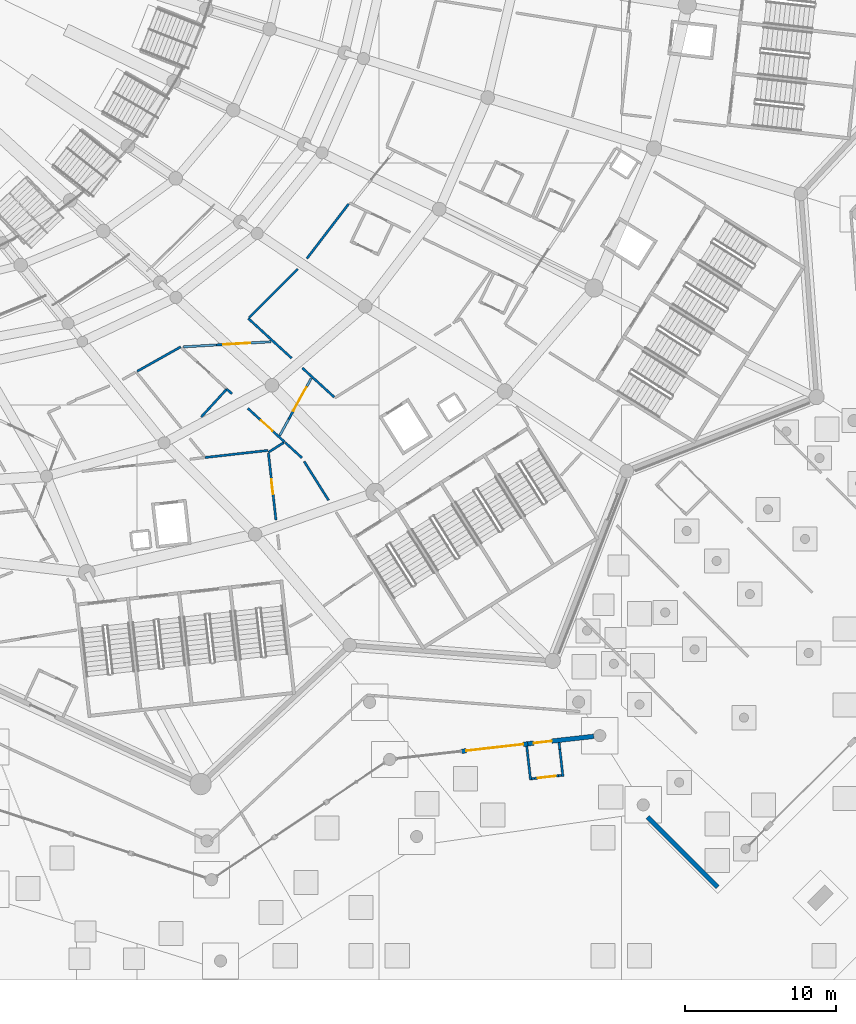
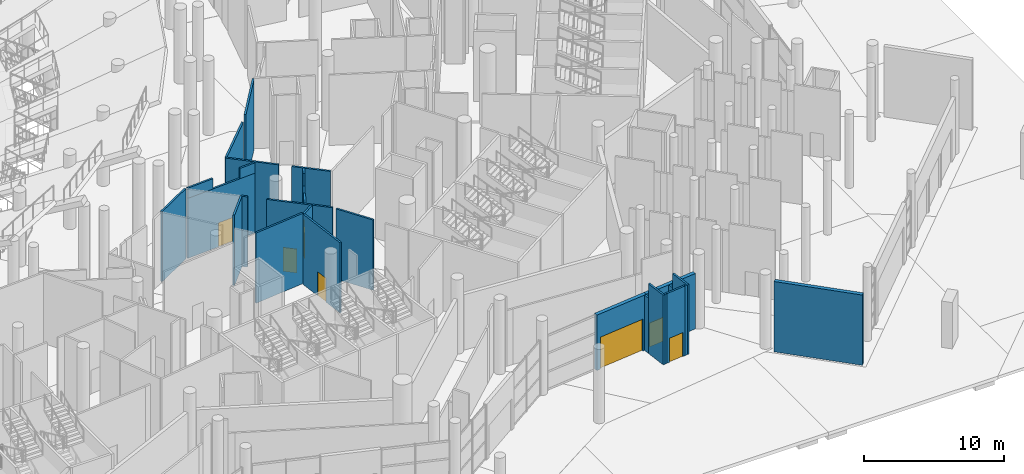
# One storey, part 122 of 255: 29 walls, 7 doors, 7 openings.
"""IFC4 building model written with IfcOpenShell, lengths in metres."""

from ifc_helpers import new_model, si_unit, direction, frame, frame_2d, origin, place, context, subcontext, project, spatial, rectangle, extrude, material, layer, layer_set, type_object, element, fill, save


model = new_model("IFC4")

# Units and contexts
model_context = context("Model", 3, precision=1e-05, world=origin(), true_north=direction((0.0, 1.0)))
body_context = subcontext(model_context, "Body", "Model", "MODEL_VIEW")
ifc_project = project(units=[si_unit("LENGTHUNIT", "METRE"), si_unit("AREAUNIT", "SQUARE_METRE"), si_unit("VOLUMEUNIT", "CUBIC_METRE"), si_unit("PLANEANGLEUNIT", "RADIAN"), si_unit("MASSUNIT", "GRAM", prefix="KILO")], contexts=[model_context])

# Site, building, storey
site_placement = place(None, origin())
site = spatial("IfcSite", under=ifc_project, at=site_placement, CompositionType="ELEMENT")
building_placement = place(site_placement, origin())
building = spatial("IfcBuilding", under=site, at=building_placement, Name="Meseta Stadium", CompositionType="ELEMENT")
storey_placement = place(building_placement, origin())
storey = spatial("IfcBuildingStorey", under=building, at=storey_placement, Name="L00", CompositionType="ELEMENT", Elevation=0.0)

# Walls
ifc_material_1 = material(Name="Precast concrete C40/50", Category="concrete")
ifc_layer_1 = layer(ifc_material_1, 0.300048828125)
ifc_layer_set_1 = layer_set([ifc_layer_1], Name="Gate facade panel wall 300")
wall_type_1 = type_object("IfcWallType", Name="Gate facade panel wall 300", PredefinedType="SOLIDWALL", material=ifc_layer_set_1)
wall_1_placement = place(storey_placement, frame((86.375732421875, -111.871826171875, 0.0), z_axis=(0.0, 0.0, 1.0), x_axis=(-0.707106781187, 0.707106781187, 0.0)))
element("IfcWall", 1, at=wall_1_placement, inside=storey, type_object=wall_type_1, Name="Gate 8 side wall", PredefinedType="SOLIDWALL", context=body_context, shape_type="SweptSolid", body=[
    extrude(rectangle(XDim=6.552490234375, YDim=0.300048828125, at=frame_2d((3.2763671875, 0.0))), origin(), (0.0, 0.0, 1.0), 6.14990234375),
])
ifc_material_2 = material(Name="Masonry blockwork", Category="masonry")
ifc_layer_2 = layer(ifc_material_2, 0.14990234375)
ifc_layer_set_2 = layer_set([ifc_layer_2], Name="Partition 150")
wall_type_2 = type_object("IfcWallType", Name="Partition 150", PredefinedType="PARTITIONING", material=ifc_layer_set_2)
wall_2_placement = place(storey_placement, frame((56.66162109375, -82.998779296875, 0.0), z_axis=(0.0, 0.0, 1.0), x_axis=(-0.993714788705, -0.111941586148, 0.0)))
element("IfcWall", 2, at=wall_2_placement, inside=storey, type_object=wall_type_2, Name="Partition L00 L00-cell25-1-0a", PredefinedType="PARTITIONING", context=body_context, shape_type="SweptSolid", body=[
    extrude(rectangle(XDim=4.1875, YDim=0.14990234375, at=frame_2d((2.09375, 0.0))), origin(), (0.0, 0.0, 1.0), 6.14990234375),
])
wall_3_placement = place(storey_placement, frame((52.24267578125, -80.788330078125, 0.0), z_axis=(0.0, 0.0, 1.0), x_axis=(0.675197911276, 0.737636618267, 0.0)))
element("IfcWall", 3, at=wall_3_placement, inside=storey, type_object=wall_type_2, Name="Partition L00 L00-cell25-1-0a", PredefinedType="PARTITIONING", context=body_context, shape_type="SweptSolid", body=[
    extrude(rectangle(XDim=2.49853515625, YDim=0.14990234375, at=frame_2d((1.249267578125, 0.0))), origin(), (0.0, 0.0, 1.0), 6.14990234375),
])
wall_4_placement = place(storey_placement, frame((53.9296875, -78.9453125, 0.0), z_axis=(0.0, 0.0, 1.0), x_axis=(0.737498012393, -0.675349303484, 0.0)))
element("IfcWall", 4, at=wall_4_placement, inside=storey, type_object=wall_type_2, Name="Partition L00 L00-cell25-1-0a", PredefinedType="PARTITIONING", context=body_context, shape_type="SweptSolid", body=[
    extrude(rectangle(XDim=0.471435546875, YDim=0.14990234375, at=frame_2d((0.23583984375, 0.0))), origin(), (0.0, 0.0, 1.0), 6.14990234375),
])

# Wall, opening, door
wall_5_placement = place(storey_placement, frame((55.320068359375, -80.21826171875, 0.0), z_axis=(0.0, 0.0, 1.0), x_axis=(0.73761168742, -0.675225146586, 0.0)))
wall_5 = element("IfcWall", 5, at=wall_5_placement, inside=storey, type_object=wall_type_2, Name="Partition L00 L00-cell25-1-0a", PredefinedType="PARTITIONING", context=body_context, shape_type="SweptSolid", body=[
    extrude(rectangle(XDim=3.299072265625, YDim=0.14990234375, at=frame_2d((1.6494140625, 0.0))), origin(), (0.0, 0.0, 1.0), 6.14990234375),
])
opening_1_placement = place(wall_5_placement, frame((1.199951171875, 0.0, 0.0)))
opening_1 = element("IfcOpeningElement", 6, at=opening_1_placement, cuts=wall_5, Name="Opening D610", PredefinedType="OPENING", context=body_context, shape_type="SweptSolid", body=[
    extrude(rectangle(XDim=1.0, YDim=2.10009765625, at=frame_2d((0.5, 1.050048828125))), frame((0.0, 0.0849609375, 0.0), z_axis=(0.0, -1.0, 0.0), x_axis=(1.0, 0.0, 0.0)), (0.0, 0.0, 1.0), 0.169921875),
])
ifc_material_3 = material(Name="Timber", Category="wood")
door_type_1 = type_object("IfcDoorType", Name="Room door 1000x2100", OperationType="NOTDEFINED", PredefinedType="DOOR", material=ifc_material_3)
door_1_placement = place(opening_1_placement, origin())
door_1 = element("IfcDoor", 7, at=door_1_placement, inside=storey, type_object=door_type_1, Name="Door D610", OperationType="SINGLE_SWING_LEFT", OverallHeight=2.10009765625, OverallWidth=1.0, PredefinedType="DOOR", context=body_context, shape_type="SweptSolid", body=[
    extrude(rectangle(XDim=1.0, YDim=2.10009765625, at=frame_2d((0.5, 1.050048828125))), frame((0.0, 0.02490234375, 0.0), z_axis=(0.0, -1.0, 0.0), x_axis=(1.0, 0.0, 0.0)), (0.0, 0.0, 1.0), 0.050048828125),
])
fill(opening_1, door_1)

# Walls
wall_6_placement = place(storey_placement, frame((57.687744140625, -82.4873046875, 0.0), z_axis=(0.0, 0.0, 1.0), x_axis=(-0.844198175742, -0.536031193192, 0.0)))
element("IfcWall", 8, at=wall_6_placement, inside=storey, type_object=wall_type_2, Name="Partition L00 L00-cell25-1-0a", PredefinedType="PARTITIONING", context=body_context, shape_type="SweptSolid", body=[
    extrude(rectangle(XDim=1.19775390625, YDim=0.14990234375, at=frame_2d((0.598876953125, 0.0))), origin(), (0.0, 0.0, 1.0), 6.14990234375),
])
wall_7_placement = place(storey_placement, frame((48.003173828125, -77.775390625, 0.0), z_axis=(0.0, 0.0, 1.0), x_axis=(0.871759011695, 0.489934919686, 0.0)))
element("IfcWall", 9, at=wall_7_placement, inside=storey, type_object=wall_type_2, Name="Partition L00 L00-cell25-1-0b1", PredefinedType="PARTITIONING", context=body_context, shape_type="SweptSolid", body=[
    extrude(rectangle(XDim=3.3037109375, YDim=0.14990234375, at=frame_2d((1.65185546875, 0.0))), origin(), (0.0, 0.0, 1.0), 6.14990234375),
])

# Wall, opening, door
wall_8_placement = place(storey_placement, frame((57.1796875, -87.5947265625, 0.0), z_axis=(0.0, 0.0, 1.0), x_axis=(-0.112023313707, 0.993705578723, 0.0)))
wall_8 = element("IfcWall", 10, at=wall_8_placement, inside=storey, type_object=wall_type_2, Name="Partition L00 L00-cell25-2-0", PredefinedType="PARTITIONING", context=body_context, shape_type="SweptSolid", body=[
    extrude(rectangle(XDim=4.44384765625, YDim=0.14990234375, at=frame_2d((2.221923828125, 0.0))), origin(), (0.0, 0.0, 1.0), 6.14990234375),
])
opening_2_placement = place(wall_8_placement, frame((1.699951171875, 0.0, 0.0)))
opening_2 = element("IfcOpeningElement", 11, at=opening_2_placement, cuts=wall_8, Name="Opening D613", PredefinedType="OPENING", context=body_context, shape_type="SweptSolid", body=[
    extrude(rectangle(XDim=1.0, YDim=2.10009765625, at=frame_2d((0.5, 1.050048828125))), frame((0.0, 0.0849609375, 0.0), z_axis=(0.0, -1.0, 0.0), x_axis=(1.0, 0.0, 0.0)), (0.0, 0.0, 1.0), 0.169921875),
])
ifc_material_4 = material(Name="Steel", Category="steel")
door_type_2 = type_object("IfcDoorType", Name="Fire door 1000x2100 EI2 60", OperationType="NOTDEFINED", PredefinedType="DOOR", material=ifc_material_4)
door_2_placement = place(opening_2_placement, origin())
door_2 = element("IfcDoor", 12, at=door_2_placement, inside=storey, type_object=door_type_2, Name="Door D613", OperationType="SINGLE_SWING_LEFT", OverallHeight=2.10009765625, OverallWidth=1.0, PredefinedType="DOOR", context=body_context, shape_type="SweptSolid", body=[
    extrude(rectangle(XDim=1.0, YDim=2.10009765625, at=frame_2d((0.5, 1.050048828125))), frame((0.0, 0.02490234375, 0.0), z_axis=(0.0, -1.0, 0.0), x_axis=(1.0, 0.0, 0.0)), (0.0, 0.0, 1.0), 0.050048828125),
])
fill(opening_2, door_2)

# Walls
wall_9_placement = place(storey_placement, frame((57.790283203125, -82.4794921875, 0.0), z_axis=(0.0, 0.0, 1.0), x_axis=(0.737580634044, -0.675259067531, 0.0)))
element("IfcWall", 13, at=wall_9_placement, inside=storey, type_object=wall_type_2, Name="Partition L00 L00-cell25-2-0", PredefinedType="PARTITIONING", context=body_context, shape_type="SweptSolid", body=[
    extrude(rectangle(XDim=1.496337890625, YDim=0.14990234375, at=frame_2d((0.748046875, 0.0))), origin(), (0.0, 0.0, 1.0), 6.14990234375),
])
wall_10_placement = place(storey_placement, frame((59.04443359375, -83.7294921875, 0.0), z_axis=(0.0, 0.0, 1.0), x_axis=(0.532093859438, -0.846685375301, 0.0)))
element("IfcWall", 14, at=wall_10_placement, inside=storey, type_object=wall_type_2, Name="Partition L00 L00-cell25-2-0", PredefinedType="PARTITIONING", context=body_context, shape_type="SweptSolid", body=[
    extrude(rectangle(XDim=3.025146484375, YDim=0.14990234375, at=frame_2d((1.5126953125, 0.0))), origin(), (0.0, 0.0, 1.0), 6.14990234375),
])
wall_11_placement = place(storey_placement, frame((61.021484375, -79.47216796875, 0.0), z_axis=(0.0, 0.0, 1.0), x_axis=(-0.737611167133, 0.675225714943, 0.0)))
element("IfcWall", 15, at=wall_11_placement, inside=storey, type_object=wall_type_2, Name="Partition L00 L00-cell26-1-0", PredefinedType="PARTITIONING", context=body_context, shape_type="SweptSolid", body=[
    extrude(rectangle(XDim=2.837158203125, YDim=0.14990234375, at=frame_2d((1.41845703125, 0.0))), origin(), (0.0, 0.0, 1.0), 6.14990234375),
])
wall_12_placement = place(storey_placement, frame((58.2119140625, -76.900390625, 0.0), z_axis=(0.0, 0.0, 1.0), x_axis=(-0.737605039511, 0.675232408647, 0.0)))
element("IfcWall", 16, at=wall_12_placement, inside=storey, type_object=wall_type_2, Name="Partition L00 L00-cell26-1-0", PredefinedType="PARTITIONING", context=body_context, shape_type="SweptSolid", body=[
    extrude(rectangle(XDim=3.88671875, YDim=0.14990234375, at=frame_2d((1.943359375, 0.0))), origin(), (0.0, 0.0, 1.0), 6.14990234375),
])
wall_13_placement = place(storey_placement, frame((55.398193359375, -74.222900390625, 0.0), z_axis=(0.0, 0.0, 1.0), x_axis=(0.707965505739, 0.706247012514, 0.0)))
element("IfcWall", 17, at=wall_13_placement, inside=storey, type_object=wall_type_2, Name="Partition L00 L00-cell26-1-0", PredefinedType="PARTITIONING", context=body_context, shape_type="SweptSolid", body=[
    extrude(rectangle(XDim=4.546142578125, YDim=0.14990234375, at=frame_2d((2.27294921875, 0.0))), origin(), (0.0, 0.0, 1.0), 6.14990234375),
])
wall_14_placement = place(storey_placement, frame((59.224853515625, -70.318115234375, 0.0), z_axis=(0.0, 0.0, 1.0), x_axis=(0.607503889775, 0.794316702523, 0.0)))
element("IfcWall", 18, at=wall_14_placement, inside=storey, type_object=wall_type_2, Name="Partition L00 L00-cell26-1-0", PredefinedType="PARTITIONING", context=body_context, shape_type="SweptSolid", body=[
    extrude(rectangle(XDim=4.54931640625, YDim=0.14990234375, at=frame_2d((2.274658203125, 0.0))), origin(), (0.0, 0.0, 1.0), 6.14990234375),
])
wall_15_placement = place(storey_placement, frame((75.889892578125, -102.307373046875, 0.0), z_axis=(0.0, 0.0, 1.0), x_axis=(0.112276818937, -0.993676967595, 0.0)))
element("IfcWall", 19, at=wall_15_placement, inside=storey, type_object=wall_type_2, Name="Partition L00 L00-ring25-0 vestibule", PredefinedType="PARTITIONING", context=body_context, shape_type="SweptSolid", body=[
    extrude(rectangle(XDim=0.4501953125, YDim=0.14990234375, at=frame_2d((0.22509765625, 0.0))), origin(), (0.0, 0.0, 1.0), 4.85009765625),
])
wall_16_placement = place(storey_placement, frame((75.9404296875, -102.754638671875, 0.0), z_axis=(0.0, 0.0, 1.0), x_axis=(0.112441006732, -0.99365840207, 0.0)))
element("IfcWall", 20, at=wall_16_placement, inside=storey, type_object=wall_type_2, Name="Partition L00 L00-ring25-0 vestibule", PredefinedType="PARTITIONING", context=body_context, shape_type="SweptSolid", body=[
    extrude(rectangle(XDim=1.800048828125, YDim=0.14990234375, at=frame_2d((0.89990234375, 0.0))), origin(), (0.0, 0.0, 1.0), 6.10009765625),
])
wall_17_placement = place(storey_placement, frame((73.75341796875, -102.54931640625, 0.0), z_axis=(0.0, 0.0, 1.0), x_axis=(0.112873160154, -0.993609405006, 0.0)))
element("IfcWall", 21, at=wall_17_placement, inside=storey, type_object=wall_type_2, Name="Partition L00 L00-ring25-0 vestibule", PredefinedType="PARTITIONING", context=body_context, shape_type="SweptSolid", body=[
    extrude(rectangle(XDim=0.449951171875, YDim=0.14990234375, at=frame_2d((0.22509765625, 0.0))), origin(), (0.0, 0.0, 1.0), 4.85009765625),
])
wall_18_placement = place(storey_placement, frame((73.80419921875, -102.996337890625, 0.0), z_axis=(0.0, 0.0, 1.0), x_axis=(0.112441006732, -0.99365840207, 0.0)))
element("IfcWall", 22, at=wall_18_placement, inside=storey, type_object=wall_type_2, Name="Partition L00 L00-ring25-0 vestibule", PredefinedType="PARTITIONING", context=body_context, shape_type="SweptSolid", body=[
    extrude(rectangle(XDim=1.800048828125, YDim=0.14990234375, at=frame_2d((0.89990234375, 0.0))), origin(), (0.0, 0.0, 1.0), 6.10009765625),
])
wall_19_placement = place(storey_placement, frame((76.059814453125, -104.47705078125, 0.0), z_axis=(0.0, 0.0, 1.0), x_axis=(-0.993673547442, -0.112307083986, 0.0)))
element("IfcWall", 23, at=wall_19_placement, inside=storey, type_object=wall_type_2, Name="Partition L00 L00-ring25-0 vestibule", PredefinedType="PARTITIONING", context=body_context, shape_type="SweptSolid", body=[
    extrude(rectangle(XDim=0.199951171875, YDim=0.14990234375, at=frame_2d((0.10009765625, 0.0))), origin(), (0.0, 0.0, 1.0), 6.10009765625),
])

# Wall, opening, door
wall_20_placement = place(storey_placement, frame((75.861083984375, -104.49951171875, 0.0), z_axis=(0.0, 0.0, 1.0), x_axis=(-0.993656507662, -0.112457746644, 0.0)))
wall_20 = element("IfcWall", 24, at=wall_20_placement, inside=storey, type_object=wall_type_2, Name="Partition L00 L00-ring25-0 vestibule", PredefinedType="PARTITIONING", context=body_context, shape_type="SweptSolid", body=[
    extrude(rectangle(XDim=1.60009765625, YDim=0.14990234375, at=frame_2d((0.800048828125, 0.0))), origin(), (0.0, 0.0, 1.0), 6.10009765625),
])
opening_3_placement = place(wall_20_placement, frame((0.199951171875, 0.0, 0.0)))
opening_3 = element("IfcOpeningElement", 25, at=opening_3_placement, cuts=wall_20, Name="Opening D884", PredefinedType="OPENING", context=body_context, shape_type="SweptSolid", body=[
    extrude(rectangle(XDim=1.199951171875, YDim=2.10009765625, at=frame_2d((0.60009765625, 1.050048828125))), frame((0.0, 0.0849609375, 0.0), z_axis=(0.0, -1.0, 0.0), x_axis=(1.0, 0.0, 0.0)), (0.0, 0.0, 1.0), 0.169921875),
])
ifc_material_5 = material(Name="Steel", Category="steel")
door_type_3 = type_object("IfcDoorType", Name="Fire door 1200x2100 EI2 60", OperationType="NOTDEFINED", PredefinedType="DOOR", material=ifc_material_5)
door_3_placement = place(opening_3_placement, origin())
door_3 = element("IfcDoor", 26, at=door_3_placement, inside=storey, type_object=door_type_3, Name="Vestibule door L00 L00-ring25-0", OperationType="SINGLE_SWING_LEFT", OverallHeight=2.10009765625, OverallWidth=1.199951171875, PredefinedType="DOOR", context=body_context, shape_type="SweptSolid", body=[
    extrude(rectangle(XDim=1.199951171875, YDim=2.10009765625, at=frame_2d((0.60009765625, 1.050048828125))), frame((0.0, 0.02490234375, 0.0), z_axis=(0.0, -1.0, 0.0), x_axis=(1.0, 0.0, 0.0)), (0.0, 0.0, 1.0), 0.050048828125),
])
fill(opening_3, door_3)

# Wall
wall_21_placement = place(storey_placement, frame((74.271240234375, -104.679443359375, 0.0), z_axis=(0.0, 0.0, 1.0), x_axis=(-0.993673547442, -0.112307083986, 0.0)))
element("IfcWall", 27, at=wall_21_placement, inside=storey, type_object=wall_type_2, Name="Partition L00 L00-ring25-0 vestibule", PredefinedType="PARTITIONING", context=body_context, shape_type="SweptSolid", body=[
    extrude(rectangle(XDim=0.199951171875, YDim=0.14990234375, at=frame_2d((0.10009765625, 0.0))), origin(), (0.0, 0.0, 1.0), 6.10009765625),
])

# Wall, opening, door
wall_22_placement = place(storey_placement, frame((57.426513671875, -82.019775390625, 0.0), z_axis=(0.0, 0.0, 1.0), x_axis=(0.482565075982, 0.87586011865, 0.0)))
wall_22 = element("IfcWall", 28, at=wall_22_placement, inside=storey, type_object=wall_type_2, Name="Escape corridor sector wall L00 core 27", PredefinedType="PARTITIONING", context=body_context, shape_type="SweptSolid", body=[
    extrude(rectangle(XDim=4.334716796875, YDim=0.14990234375, at=frame_2d((2.16748046875, 0.0))), origin(), (0.0, 0.0, 1.0), 5.050048828125),
])
opening_4_placement = place(wall_22_placement, frame((1.85009765625, 0.0, 0.0)))
opening_4 = element("IfcOpeningElement", 29, at=opening_4_placement, cuts=wall_22, Name="Opening D431", PredefinedType="OPENING", context=body_context, shape_type="SweptSolid", body=[
    extrude(rectangle(XDim=1.800048828125, YDim=2.10009765625, at=frame_2d((0.89990234375, 1.050048828125))), frame((0.0, 0.0849609375, 0.0), z_axis=(0.0, -1.0, 0.0), x_axis=(1.0, 0.0, 0.0)), (0.0, 0.0, 1.0), 0.169921875),
])
ifc_material_6 = material(Name="Steel", Category="steel")
door_type_4 = type_object("IfcDoorType", Name="Fire double door 1800x2100 EI2 60", OperationType="DOUBLE_DOOR_SINGLE_SWING", PredefinedType="DOOR", material=ifc_material_6)
door_4_placement = place(opening_4_placement, origin())
door_4 = element("IfcDoor", 30, at=door_4_placement, inside=storey, type_object=door_type_4, Name="Escape corridor door EC27-1", OperationType="DOUBLE_DOOR_SINGLE_SWING", OverallHeight=2.10009765625, OverallWidth=1.800048828125, PredefinedType="DOOR", context=body_context, shape_type="SweptSolid", body=[
    extrude(rectangle(XDim=1.800048828125, YDim=2.10009765625, at=frame_2d((0.89990234375, 1.050048828125))), frame((0.0, 0.02490234375, 0.0), z_axis=(0.0, -1.0, 0.0), x_axis=(1.0, 0.0, 0.0)), (0.0, 0.0, 1.0), 0.050048828125),
])
fill(opening_4, door_4)

# Walls
wall_23_placement = place(storey_placement, frame((57.426513671875, -82.019775390625, 5.050048828125), z_axis=(0.0, 0.0, 1.0), x_axis=(0.482524456718, 0.875882497067, 0.0)))
element("IfcWall", 31, at=wall_23_placement, inside=storey, type_object=wall_type_2, Name="Escape corridor sector wall L00 core 27", PredefinedType="PARTITIONING", context=body_context, shape_type="SweptSolid", body=[
    extrude(rectangle(XDim=1.237548828125, YDim=0.14990234375, at=frame_2d((0.61865234375, 0.0))), origin(), (0.0, 0.0, 1.0), 1.099853515625),
])
wall_24_placement = place(storey_placement, frame((59.212158203125, -78.779052734375, 5.050048828125), z_axis=(0.0, 0.0, 1.0), x_axis=(0.482406003253, 0.875947742748, 0.0)))
element("IfcWall", 32, at=wall_24_placement, inside=storey, type_object=wall_type_2, Name="Escape corridor sector wall L00 core 27", PredefinedType="PARTITIONING", context=body_context, shape_type="SweptSolid", body=[
    extrude(rectangle(XDim=0.634521484375, YDim=0.14990234375, at=frame_2d((0.3173828125, 0.0))), origin(), (0.0, 0.0, 1.0), 1.099853515625),
])

# Wall, opening, door
wall_25_placement = place(storey_placement, frame((51.07275390625, -76.156494140625, 0.0), z_axis=(0.0, 0.0, 1.0), x_axis=(0.998293840632, 0.058390134068, 0.0)))
wall_25 = element("IfcWall", 33, at=wall_25_placement, inside=storey, type_object=wall_type_2, Name="Escape corridor discharge wall L00 core 27", PredefinedType="PARTITIONING", context=body_context, shape_type="SweptSolid", body=[
    extrude(rectangle(XDim=5.7783203125, YDim=0.14990234375, at=frame_2d((2.88916015625, 0.0))), origin(), (0.0, 0.0, 1.0), 5.25),
])
opening_5_placement = place(wall_25_placement, frame((2.62841796875, 0.0, 0.0)))
opening_5 = element("IfcOpeningElement", 34, at=opening_5_placement, cuts=wall_25, Name="Opening D403", PredefinedType="OPENING", context=body_context, shape_type="SweptSolid", body=[
    extrude(rectangle(XDim=1.800048828125, YDim=2.10009765625, at=frame_2d((0.89990234375, 1.050048828125))), frame((0.0, 0.0849609375, 0.0), z_axis=(0.0, -1.0, 0.0), x_axis=(1.0, 0.0, 0.0)), (0.0, 0.0, 1.0), 0.169921875),
])
door_5_placement = place(opening_5_placement, origin())
door_5 = element("IfcDoor", 35, at=door_5_placement, inside=storey, type_object=door_type_4, Name="Stair discharge door SD27-1", OperationType="DOUBLE_DOOR_SINGLE_SWING", OverallHeight=2.10009765625, OverallWidth=1.800048828125, PredefinedType="DOOR", context=body_context, shape_type="SweptSolid", body=[
    extrude(rectangle(XDim=1.800048828125, YDim=2.10009765625, at=frame_2d((0.89990234375, 1.050048828125))), frame((0.0, 0.02490234375, 0.0), z_axis=(0.0, -1.0, 0.0), x_axis=(1.0, 0.0, 0.0)), (0.0, 0.0, 1.0), 0.050048828125),
])
fill(opening_5, door_5)

# Walls
wall_26_placement = place(storey_placement, frame((55.543212890625, -75.89501953125, 5.25), z_axis=(0.0, 0.0, 1.0), x_axis=(0.998293741507, 0.058391828777, 0.0)))
element("IfcWall", 36, at=wall_26_placement, inside=storey, type_object=wall_type_2, Name="Escape corridor discharge wall L00 core 27", PredefinedType="PARTITIONING", context=body_context, shape_type="SweptSolid", body=[
    extrude(rectangle(XDim=1.30029296875, YDim=0.14990234375, at=frame_2d((0.650146484375, 0.0))), origin(), (0.0, 0.0, 1.0), 0.89990234375),
])
wall_27_placement = place(storey_placement, frame((51.07275390625, -76.156494140625, 5.25), z_axis=(0.0, 0.0, 1.0), x_axis=(0.998293369455, 0.058398189201, 0.0)))
element("IfcWall", 37, at=wall_27_placement, inside=storey, type_object=wall_type_2, Name="Escape corridor discharge wall L00 core 27", PredefinedType="PARTITIONING", context=body_context, shape_type="SweptSolid", body=[
    extrude(rectangle(XDim=2.16552734375, YDim=0.14990234375, at=frame_2d((1.082763671875, 0.0))), origin(), (0.0, 0.0, 1.0), 0.89990234375),
])

# Wall, opening, door
ifc_material_7 = material(Name="Precast concrete C40/50", Category="concrete")
ifc_layer_3 = layer(ifc_material_7, 0.300048828125)
ifc_layer_set_3 = layer_set([ifc_layer_3], Name="Ring facade panel wall 300")
wall_type_3 = type_object("IfcWallType", Name="Ring facade panel wall 300", PredefinedType="SOLIDWALL", material=ifc_layer_set_3)
wall_28_placement = place(storey_placement, frame((73.8232421875, -102.390380859375, 0.0), z_axis=(0.0, 0.0, 1.0), x_axis=(-0.993654957488, -0.112471442865, 0.0)))
wall_28 = element("IfcWall", 38, at=wall_28_placement, inside=storey, type_object=wall_type_3, Name="Ring facade panel wall F51", PredefinedType="SOLIDWALL", context=body_context, shape_type="SweptSolid", body=[
    extrude(rectangle(XDim=4.39990234375, YDim=0.300048828125, at=frame_2d((2.199951171875, 0.0))), origin(), (0.0, 0.0, 1.0), 4.85009765625),
])
opening_6_placement = place(wall_28_placement, frame((0.300048828125, 0.0, 0.0)))
opening_6 = element("IfcOpeningElement", 39, at=opening_6_placement, cuts=wall_28, Name="Opening D969", PredefinedType="OPENING", context=body_context, shape_type="SweptSolid", body=[
    extrude(rectangle(XDim=3.800048828125, YDim=2.800048828125, at=frame_2d((1.89990234375, 1.39990234375))), frame((0.0, 0.159912109375, 0.0), z_axis=(0.0, -1.0, 0.0), x_axis=(1.0, 0.0, 0.0)), (0.0, 0.0, 1.0), 0.320068359375),
])
ifc_material_8 = material(Name="Steel", Category="steel")
door_type_5 = type_object("IfcDoorType", Name="Final exit door 3800x2800", OperationType="DOUBLE_DOOR_SINGLE_SWING", PredefinedType="DOOR", material=ifc_material_8)
door_6_placement = place(opening_6_placement, origin())
door_6 = element("IfcDoor", 40, at=door_6_placement, inside=storey, type_object=door_type_5, Name="Final exit F34", OperationType="DOUBLE_DOOR_SINGLE_SWING", OverallHeight=2.800048828125, OverallWidth=3.800048828125, PredefinedType="DOOR", context=body_context, shape_type="SweptSolid", body=[
    extrude(rectangle(XDim=3.800048828125, YDim=2.800048828125, at=frame_2d((1.89990234375, 1.39990234375))), frame((0.0, 0.02490234375, 0.0), z_axis=(0.0, -1.0, 0.0), x_axis=(1.0, 0.0, 0.0)), (0.0, 0.0, 1.0), 0.050048828125),
])
fill(opening_6, door_6)

wall_29_placement = place(storey_placement, frame((78.18310546875, -101.89697265625, 0.0), z_axis=(0.0, 0.0, 1.0), x_axis=(-0.993657074804, -0.112452735367, 0.0)))
wall_29 = element("IfcWall", 41, at=wall_29_placement, inside=storey, type_object=wall_type_3, Name="Ring store panel wall F51b", PredefinedType="SOLIDWALL", context=body_context, shape_type="SweptSolid", body=[
    extrude(rectangle(XDim=4.3876953125, YDim=0.300048828125, at=frame_2d((2.19384765625, 0.0))), origin(), (0.0, 0.0, 1.0), 4.85009765625),
])
opening_7_placement = place(wall_29_placement, frame((2.800048828125, 0.0, 0.0)))
opening_7 = element("IfcOpeningElement", 42, at=opening_7_placement, cuts=wall_29, Name="Opening D637", PredefinedType="OPENING", context=body_context, shape_type="SweptSolid", body=[
    extrude(rectangle(XDim=1.199951171875, YDim=2.10009765625, at=frame_2d((0.60009765625, 1.050048828125))), frame((0.0, 0.159912109375, 0.0), z_axis=(0.0, -1.0, 0.0), x_axis=(1.0, 0.0, 0.0)), (0.0, 0.0, 1.0), 0.320068359375),
])
door_7_placement = place(opening_7_placement, origin())
door_7 = element("IfcDoor", 43, at=door_7_placement, inside=storey, type_object=door_type_3, Name="Door D637", OperationType="SINGLE_SWING_RIGHT", OverallHeight=2.10009765625, OverallWidth=1.199951171875, PredefinedType="DOOR", context=body_context, shape_type="SweptSolid", body=[
    extrude(rectangle(XDim=1.199951171875, YDim=2.10009765625, at=frame_2d((0.60009765625, 1.050048828125))), frame((0.0, 0.02490234375, 0.0), z_axis=(0.0, -1.0, 0.0), x_axis=(1.0, 0.0, 0.0)), (0.0, 0.0, 1.0), 0.050048828125),
])
fill(opening_7, door_7)

save(model, "model.ifc")
